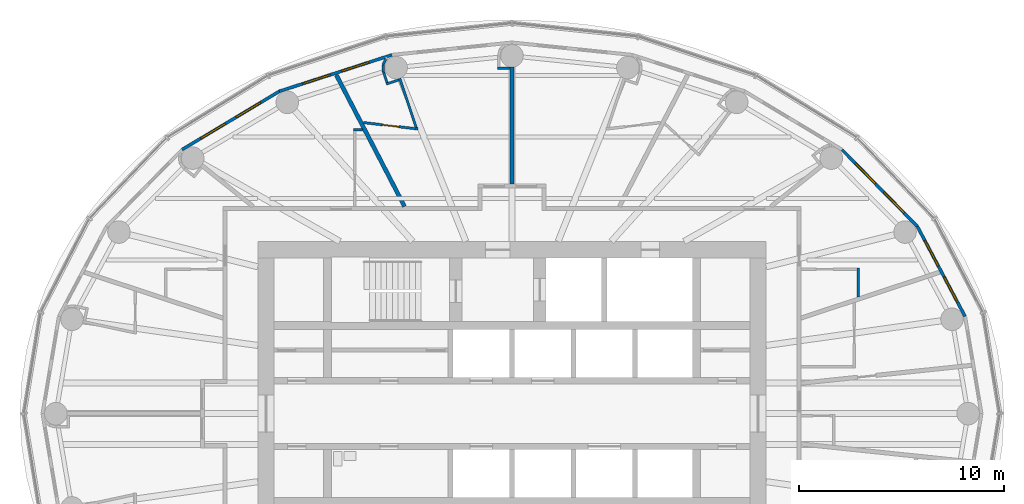
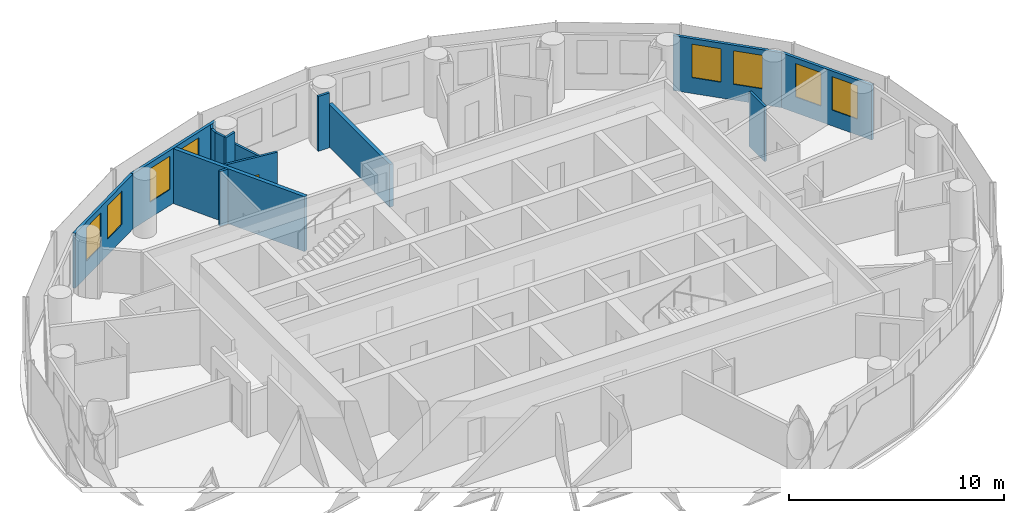
# One storey, part 12 of 16: 15 walls, 8 windows, 1 door, 9 openings.
"""IFC4 building model written with IfcOpenShell, lengths in metres."""

import ifcopenshell
import ifcopenshell.guid

model = None  # the IFC model being written
_history = None  # IfcOwnerHistory: only IFC2X3 demands one
_inside = {}  # id of a spatial element -> (the spatial element, [elements in it])
_under = {}  # id of a project, library or spatial element -> (it, [spatial elements below it])
_declared = {}  # id of a project -> (the project, [libraries it declares])
_typed = {}  # id of a type object -> (the type object, [elements of that type])
_made_of = {}  # id of a material, layer set ... -> (it, [elements and type objects made of it])


def new_model(schema):
    """Start an empty IFC model of exactly this schema.

    Asked for "IFC4X3", IfcOpenShell would pick the latest addendum, in which some entities
    have other attributes; the version numbers below select the first issue.
    IFC2X3 requires an IfcOwnerHistory on every rooted entity: one is made here for all.
    """
    global model, _history
    if schema == "IFC4X3":
        model = ifcopenshell.file(schema_version=(4, 3, 0, 0))
    else:
        model = ifcopenshell.file(schema=schema)
    _inside.clear()
    _under.clear()
    _declared.clear()
    _typed.clear()
    _made_of.clear()
    _history = None
    if model.schema == "IFC2X3":
        org = make("IfcOrganization", Name="unknown")
        user = make(
            "IfcPersonAndOrganization",
            ThePerson=make("IfcPerson", FamilyName="unknown"),
            TheOrganization=org,
        )
        app = make(
            "IfcApplication",
            ApplicationDeveloper=org,
            Version="unknown",
            ApplicationFullName="unknown",
            ApplicationIdentifier="unknown",
        )
        _history = make(
            "IfcOwnerHistory",
            OwningUser=user,
            OwningApplication=app,
            ChangeAction="ADDED",
            CreationDate=0,
        )
    return model


def make(cls, **values):
    """One entity of the class cls with the attributes given. An attribute that is None is left unset."""
    return model.create_entity(
        cls, **{name: value for name, value in values.items() if value is not None}
    )


def rooted(cls, **values):
    """An entity with a GlobalId (a new one), such as an element, a storey or a relation."""
    return make(cls, GlobalId=ifcopenshell.guid.new(), OwnerHistory=_history, **values)


def si_unit(unit_type, name, prefix=None):
    """IfcSIUnit, for example si_unit("LENGTHUNIT", "METRE", prefix="MILLI")."""
    return make("IfcSIUnit", UnitType=unit_type, Prefix=prefix, Name=name)


def assignment(units):
    """IfcUnitAssignment: the units of a project."""
    return None if units is None else make("IfcUnitAssignment", Units=units)


def point(xyz):
    """IfcCartesianPoint."""
    return None if xyz is None else make("IfcCartesianPoint", Coordinates=xyz)


def direction(xyz):
    """IfcDirection."""
    return None if xyz is None else make("IfcDirection", DirectionRatios=xyz)


def frame(location, z_axis=None, x_axis=None):
    """IfcAxis2Placement3D, a coordinate frame: its origin and axes. An axis left out is left unset."""
    return make(
        "IfcAxis2Placement3D",
        Location=point(location),
        Axis=direction(z_axis),
        RefDirection=direction(x_axis),
    )


def frame_2d(location, x_axis=None):
    """IfcAxis2Placement2D, a coordinate frame in the plane: its origin and x axis."""
    return make(
        "IfcAxis2Placement2D", Location=point(location), RefDirection=direction(x_axis)
    )


def origin():
    """The frame at (0, 0, 0) with its axes left unset."""
    return frame((0.0, 0.0, 0.0))


def place(relative_to, where):
    """IfcLocalPlacement: puts the frame where relative to a parent placement (None: the world)."""
    return make(
        "IfcLocalPlacement", PlacementRelTo=relative_to, RelativePlacement=where
    )


def context(
    kind, dimensions, precision=None, world=None, true_north=None, identifier=None
):
    """IfcGeometricRepresentationContext, for example the 3D "Model" context."""
    return make(
        "IfcGeometricRepresentationContext",
        ContextIdentifier=identifier,
        ContextType=kind,
        CoordinateSpaceDimension=dimensions,
        Precision=precision,
        WorldCoordinateSystem=world,
        TrueNorth=true_north,
    )


def subcontext(parent, identifier, kind, view, scale=None):
    """IfcGeometricRepresentationSubContext, for example "Body" below "Model"."""
    return make(
        "IfcGeometricRepresentationSubContext",
        ContextIdentifier=identifier,
        ContextType=kind,
        ParentContext=parent,
        TargetScale=scale,
        TargetView=view,
    )


def project(units=None, contexts=None):
    """IfcProject with its units and contexts."""
    return rooted(
        "IfcProject",
        Name="project",
        RepresentationContexts=contexts,
        UnitsInContext=assignment(units),
    )


def spatial(cls, under=None, at=None, **own):
    """A site, building, storey or space (cls), placed at a placement, below another one or the project."""
    s = rooted(cls, ObjectPlacement=at, **own)
    if under is not None:
        _under.setdefault(under.id(), (under, []))[1].append(s)
    return s


def profile(cls, at=None, kind="AREA", **sizes):
    """A parametric profile (cls). Its sizes go by their IFC names, for example OverallWidth=200.0."""
    return make(cls, ProfileType=kind, Position=at, **sizes)


def rectangle(**sizes):
    """IfcRectangleProfileDef."""
    return profile("IfcRectangleProfileDef", **sizes)


def extrude(swept, where, along, depth):
    """IfcExtrudedAreaSolid: the profile swept, set in the frame where, extruded along a direction by depth."""
    return make(
        "IfcExtrudedAreaSolid",
        SweptArea=swept,
        Position=where,
        ExtrudedDirection=direction(along),
        Depth=depth,
    )


def shape(context_of_items, identifier, shape_type, items):
    """IfcShapeRepresentation: the items that make up one representation, for example the "Body"."""
    return make(
        "IfcShapeRepresentation",
        ContextOfItems=context_of_items,
        RepresentationIdentifier=identifier,
        RepresentationType=shape_type,
        Items=items,
    )


def material(Name=None, Category=None):
    """IfcMaterial."""
    return make("IfcMaterial", Name=Name, Category=Category)


def layer(
    of_material, thickness, ventilated=None, Name=None, Category=None, Priority=None
):
    """IfcMaterialLayer: one layer of a wall or slab, of a material (None: an air gap)."""
    return make(
        "IfcMaterialLayer",
        Material=of_material,
        LayerThickness=thickness,
        IsVentilated=ventilated,
        Name=Name,
        Category=Category,
        Priority=Priority,
    )


def layer_set(layers, Name=None):
    """IfcMaterialLayerSet."""
    return make("IfcMaterialLayerSet", MaterialLayers=layers, LayerSetName=Name)


def made_of(thing, what):
    """Note that an element or type object is made of a material, layer set ...; save() writes the relation."""
    if what is not None:
        _made_of.setdefault(what.id(), (what, []))[1].append(thing)
    return thing


def type_object(cls, material=None, **own):
    """A type object (cls), such as IfcWallType, which elements share."""
    return made_of(rooted(cls, **own), material)


def element(
    cls,
    number,
    at=None,
    inside=None,
    cuts=None,
    type_object=None,
    material=None,
    context=None,
    identifier="Body",
    shape_type=None,
    held_by="IfcProductDefinitionShape",
    body=None,
    shapes=None,
    **own,
):
    """One element of the class cls, such as IfcWall. Its Tag is "e" and its number.

    at: its placement. inside: the storey or other place that contains it. cuts: it is an
    opening in that element (IfcRelVoidsElement). A single representation is given by context,
    identifier, shape_type and body (its items); several are given by shapes. held_by: the class
    of the entity that holds the representations. save() writes the other relations.
    """
    e = rooted(cls, Tag="e%d" % number, ObjectPlacement=at, **own)
    if body is not None:
        shapes = [shape(context, identifier, shape_type, body)]
    if shapes is not None:
        e.Representation = make(held_by, Representations=shapes)
    if inside is not None:
        _inside.setdefault(inside.id(), (inside, []))[1].append(e)
    if cuts is not None:
        rooted(
            "IfcRelVoidsElement", RelatingBuildingElement=cuts, RelatedOpeningElement=e
        )
    if type_object is not None:
        _typed.setdefault(type_object.id(), (type_object, []))[1].append(e)
    return made_of(e, material)


def fill(opening, filler):
    """IfcRelFillsElement: the door or window that sits in an opening."""
    return rooted(
        "IfcRelFillsElement",
        RelatingOpeningElement=opening,
        RelatedBuildingElement=filler,
    )


def aggregate(whole, parts):
    """IfcRelAggregates: a whole, such as a stair, and the parts it consists of."""
    return rooted("IfcRelAggregates", RelatingObject=whole, RelatedObjects=parts)


def save(model, path):
    """Write the relations noted so far, then the file.

    IfcRelAggregates (storeys below a building ...), IfcRelContainedInSpatialStructure (elements
    in a storey), IfcRelDefinesByType, IfcRelAssociatesMaterial and IfcRelDeclares: one each for
    every whole, place, type object, material and project.
    """
    for whole, parts in _under.values():
        aggregate(whole, parts)
    for where, things in _inside.values():
        rooted(
            "IfcRelContainedInSpatialStructure",
            RelatedElements=things,
            RelatingStructure=where,
        )
    for kind, things in _typed.values():
        rooted("IfcRelDefinesByType", RelatedObjects=things, RelatingType=kind)
    for what, things in _made_of.values():
        rooted("IfcRelAssociatesMaterial", RelatedObjects=things, RelatingMaterial=what)
    for by, libraries in _declared.values():
        rooted("IfcRelDeclares", RelatingContext=by, RelatedDefinitions=libraries)
    model.write(path)


model = new_model("IFC4")

# Units and contexts
model_context = context("Model", 3, precision=1e-05, world=origin(), true_north=direction((0.0, 1.0)))
body_context = subcontext(model_context, "Body", "Model", "MODEL_VIEW")
ifc_project = project(units=[si_unit("LENGTHUNIT", "METRE"), si_unit("AREAUNIT", "SQUARE_METRE"), si_unit("VOLUMEUNIT", "CUBIC_METRE"), si_unit("PLANEANGLEUNIT", "RADIAN"), si_unit("MASSUNIT", "GRAM", prefix="KILO")], contexts=[model_context])

# Site, building, storey
site_placement = place(None, origin())
site = spatial("IfcSite", under=ifc_project, at=site_placement, CompositionType="ELEMENT")
building_placement = place(site_placement, origin())
building = spatial("IfcBuilding", under=site, at=building_placement, Name="Hankou Lantern Tower", CompositionType="ELEMENT")
storey_placement = place(building_placement, frame((0.0, 0.0, 169.800048828125)))
storey = spatial("IfcBuildingStorey", under=building, at=storey_placement, Name="L45", CompositionType="ELEMENT", Elevation=169.800048828125)

# Wall, openings, windows
ifc_material_1 = material(Name="Aluminium spandrel panel on steel studs", Category="steel")
ifc_layer_1 = layer(ifc_material_1, 0.14990234375)
ifc_layer_set_1 = layer_set([ifc_layer_1], Name="Aluminium spandrel panel on steel studs")
wall_type_1 = type_object("IfcWallType", Name="EW1 INNER SKIN WALL 150", PredefinedType="ELEMENTEDWALL", material=ifc_layer_set_1)
wall_1_placement = place(storey_placement, frame((22.1015625, 4.73779296875, 0.0), z_axis=(0.0, 0.0, 1.0), x_axis=(-0.468428906714, 0.883501193748, 0.0)))
wall_1 = element("IfcWall", 1, at=wall_1_placement, inside=storey, type_object=wall_type_1, Name="Inner skin R02-R03 L45", PredefinedType="ELEMENTEDWALL", context=body_context, shape_type="SweptSolid", body=[
    extrude(rectangle(XDim=4.9736328125, YDim=0.14990234375, at=frame_2d((2.48681640625, 0.0))), origin(), (0.0, 0.0, 1.0), 3.119873046875),
])
opening_1_placement = place(wall_1_placement, frame((0.786865234375, 0.0, 0.89990234375)))
opening_1 = element("IfcOpeningElement", 2, at=opening_1_placement, cuts=wall_1, Name="Opening W3", PredefinedType="OPENING", context=body_context, shape_type="SweptSolid", body=[
    extrude(rectangle(XDim=1.39990234375, YDim=1.89990234375, at=frame_2d((0.699951171875, 0.949951171875))), frame((0.0, 0.0849609375, 0.0), z_axis=(0.0, -1.0, 0.0), x_axis=(1.0, 0.0, 0.0)), (0.0, 0.0, 1.0), 0.169921875),
])
opening_2_placement = place(wall_1_placement, frame((2.786865234375, 0.0, 0.89990234375)))
opening_2 = element("IfcOpeningElement", 3, at=opening_2_placement, cuts=wall_1, Name="Opening W3", PredefinedType="OPENING", context=body_context, shape_type="SweptSolid", body=[
    extrude(rectangle(XDim=1.39990234375, YDim=1.89990234375, at=frame_2d((0.699951171875, 0.949951171875))), frame((0.0, 0.0849609375, 0.0), z_axis=(0.0, -1.0, 0.0), x_axis=(1.0, 0.0, 0.0)), (0.0, 0.0, 1.0), 0.169921875),
])
ifc_material_2 = material(Name="Aluminium framed double glazed window", Category="aluminium")
window_type = type_object("IfcWindowType", Name="W3 GUEST ROOM WINDOW 1400X1900", PartitioningType="DOUBLE_PANEL_VERTICAL", PredefinedType="WINDOW", material=ifc_material_2)
window_1_placement = place(opening_1_placement, origin())
window_1 = element("IfcWindow", 4, at=window_1_placement, inside=storey, type_object=window_type, Name="Window R02.1 L45", OverallHeight=1.89990234375, OverallWidth=1.39990234375, PartitioningType="SINGLE_PANEL", PredefinedType="WINDOW", context=body_context, shape_type="SweptSolid", body=[
    extrude(rectangle(XDim=1.39990234375, YDim=1.89990234375, at=frame_2d((0.699951171875, 0.949951171875))), frame((0.0, 0.030029296875, 0.0), z_axis=(0.0, -1.0, 0.0), x_axis=(1.0, 0.0, 0.0)), (0.0, 0.0, 1.0), 0.06005859375),
])
fill(opening_1, window_1)
window_2_placement = place(opening_2_placement, origin())
window_2 = element("IfcWindow", 5, at=window_2_placement, inside=storey, type_object=window_type, Name="Window R02.2 L45", OverallHeight=1.89990234375, OverallWidth=1.39990234375, PartitioningType="SINGLE_PANEL", PredefinedType="WINDOW", context=body_context, shape_type="SweptSolid", body=[
    extrude(rectangle(XDim=1.39990234375, YDim=1.89990234375, at=frame_2d((0.699951171875, 0.949951171875))), frame((0.0, 0.030029296875, 0.0), z_axis=(0.0, -1.0, 0.0), x_axis=(1.0, 0.0, 0.0)), (0.0, 0.0, 1.0), 0.06005859375),
])
fill(opening_2, window_2)

wall_2_placement = place(storey_placement, frame((19.771728515625, 9.132080078125, 0.0), z_axis=(0.0, 0.0, 1.0), x_axis=(-0.700727467776, 0.71342905457, 0.0)))
wall_2 = element("IfcWall", 6, at=wall_2_placement, inside=storey, type_object=wall_type_1, Name="Inner skin R03-R04 L45", PredefinedType="ELEMENTEDWALL", context=body_context, shape_type="SweptSolid", body=[
    extrude(rectangle(XDim=5.247314453125, YDim=0.14990234375, at=frame_2d((2.62353515625, 0.0))), origin(), (0.0, 0.0, 1.0), 3.119873046875),
])
opening_3_placement = place(wall_2_placement, frame((0.923583984375, 0.0, 0.89990234375)))
opening_3 = element("IfcOpeningElement", 7, at=opening_3_placement, cuts=wall_2, Name="Opening W3", PredefinedType="OPENING", context=body_context, shape_type="SweptSolid", body=[
    extrude(rectangle(XDim=1.39990234375, YDim=1.89990234375, at=frame_2d((0.699951171875, 0.949951171875))), frame((0.0, 0.0849609375, 0.0), z_axis=(0.0, -1.0, 0.0), x_axis=(1.0, 0.0, 0.0)), (0.0, 0.0, 1.0), 0.169921875),
])
opening_4_placement = place(wall_2_placement, frame((2.923583984375, 0.0, 0.89990234375)))
opening_4 = element("IfcOpeningElement", 8, at=opening_4_placement, cuts=wall_2, Name="Opening W3", PredefinedType="OPENING", context=body_context, shape_type="SweptSolid", body=[
    extrude(rectangle(XDim=1.39990234375, YDim=1.89990234375, at=frame_2d((0.699951171875, 0.949951171875))), frame((0.0, 0.0849609375, 0.0), z_axis=(0.0, -1.0, 0.0), x_axis=(1.0, 0.0, 0.0)), (0.0, 0.0, 1.0), 0.169921875),
])
window_3_placement = place(opening_3_placement, origin())
window_3 = element("IfcWindow", 9, at=window_3_placement, inside=storey, type_object=window_type, Name="Window R03.1 L45", OverallHeight=1.89990234375, OverallWidth=1.39990234375, PartitioningType="SINGLE_PANEL", PredefinedType="WINDOW", context=body_context, shape_type="SweptSolid", body=[
    extrude(rectangle(XDim=1.39990234375, YDim=1.89990234375, at=frame_2d((0.699951171875, 0.949951171875))), frame((0.0, 0.030029296875, 0.0), z_axis=(0.0, -1.0, 0.0), x_axis=(1.0, 0.0, 0.0)), (0.0, 0.0, 1.0), 0.06005859375),
])
fill(opening_3, window_3)
window_4_placement = place(opening_4_placement, origin())
window_4 = element("IfcWindow", 10, at=window_4_placement, inside=storey, type_object=window_type, Name="Window R03.2 L45", OverallHeight=1.89990234375, OverallWidth=1.39990234375, PartitioningType="SINGLE_PANEL", PredefinedType="WINDOW", context=body_context, shape_type="SweptSolid", body=[
    extrude(rectangle(XDim=1.39990234375, YDim=1.89990234375, at=frame_2d((0.699951171875, 0.949951171875))), frame((0.0, 0.030029296875, 0.0), z_axis=(0.0, -1.0, 0.0), x_axis=(1.0, 0.0, 0.0)), (0.0, 0.0, 1.0), 0.06005859375),
])
fill(opening_4, window_4)

wall_3_placement = place(storey_placement, frame((-5.8603515625, 17.497314453125, 0.0), z_axis=(0.0, 0.0, 1.0), x_axis=(-0.951432482129, -0.307857486429, 0.0)))
wall_3 = element("IfcWall", 11, at=wall_3_placement, inside=storey, type_object=wall_type_1, Name="Inner skin R08-R09 L45", PredefinedType="ELEMENTEDWALL", context=body_context, shape_type="SweptSolid", body=[
    extrude(rectangle(XDim=5.76611328125, YDim=0.14990234375, at=frame_2d((2.883056640625, 0.0))), origin(), (0.0, 0.0, 1.0), 3.119873046875),
])
opening_5_placement = place(wall_3_placement, frame((1.18310546875, 0.0, 0.89990234375)))
opening_5 = element("IfcOpeningElement", 12, at=opening_5_placement, cuts=wall_3, Name="Opening W3", PredefinedType="OPENING", context=body_context, shape_type="SweptSolid", body=[
    extrude(rectangle(XDim=1.39990234375, YDim=1.89990234375, at=frame_2d((0.699951171875, 0.949951171875))), frame((0.0, 0.0849609375, 0.0), z_axis=(0.0, -1.0, 0.0), x_axis=(1.0, 0.0, 0.0)), (0.0, 0.0, 1.0), 0.169921875),
])
opening_6_placement = place(wall_3_placement, frame((3.18310546875, 0.0, 0.89990234375)))
opening_6 = element("IfcOpeningElement", 13, at=opening_6_placement, cuts=wall_3, Name="Opening W3", PredefinedType="OPENING", context=body_context, shape_type="SweptSolid", body=[
    extrude(rectangle(XDim=1.39990234375, YDim=1.89990234375, at=frame_2d((0.699951171875, 0.949951171875))), frame((0.0, 0.0849609375, 0.0), z_axis=(0.0, -1.0, 0.0), x_axis=(1.0, 0.0, 0.0)), (0.0, 0.0, 1.0), 0.169921875),
])
window_5_placement = place(opening_5_placement, origin())
window_5 = element("IfcWindow", 14, at=window_5_placement, inside=storey, type_object=window_type, Name="Window R08.1 L45", OverallHeight=1.89990234375, OverallWidth=1.39990234375, PartitioningType="SINGLE_PANEL", PredefinedType="WINDOW", context=body_context, shape_type="SweptSolid", body=[
    extrude(rectangle(XDim=1.39990234375, YDim=1.89990234375, at=frame_2d((0.699951171875, 0.949951171875))), frame((0.0, 0.030029296875, 0.0), z_axis=(0.0, -1.0, 0.0), x_axis=(1.0, 0.0, 0.0)), (0.0, 0.0, 1.0), 0.06005859375),
])
fill(opening_5, window_5)
window_6_placement = place(opening_6_placement, origin())
window_6 = element("IfcWindow", 15, at=window_6_placement, inside=storey, type_object=window_type, Name="Window R08.2 L45", OverallHeight=1.89990234375, OverallWidth=1.39990234375, PartitioningType="SINGLE_PANEL", PredefinedType="WINDOW", context=body_context, shape_type="SweptSolid", body=[
    extrude(rectangle(XDim=1.39990234375, YDim=1.89990234375, at=frame_2d((0.699951171875, 0.949951171875))), frame((0.0, 0.030029296875, 0.0), z_axis=(0.0, -1.0, 0.0), x_axis=(1.0, 0.0, 0.0)), (0.0, 0.0, 1.0), 0.06005859375),
])
fill(opening_6, window_6)

wall_4_placement = place(storey_placement, frame((-11.346435546875, 15.72216796875, 0.0), z_axis=(0.0, 0.0, 1.0), x_axis=(-0.857695199231, -0.514158482587, 0.0)))
wall_4 = element("IfcWall", 16, at=wall_4_placement, inside=storey, type_object=wall_type_1, Name="Inner skin R09-R10 L45", PredefinedType="ELEMENTEDWALL", context=body_context, shape_type="SweptSolid", body=[
    extrude(rectangle(XDim=5.5361328125, YDim=0.14990234375, at=frame_2d((2.76806640625, 0.0))), origin(), (0.0, 0.0, 1.0), 3.119873046875),
])
opening_7_placement = place(wall_4_placement, frame((1.068115234375, 0.0, 0.89990234375)))
opening_7 = element("IfcOpeningElement", 17, at=opening_7_placement, cuts=wall_4, Name="Opening W3", PredefinedType="OPENING", context=body_context, shape_type="SweptSolid", body=[
    extrude(rectangle(XDim=1.39990234375, YDim=1.89990234375, at=frame_2d((0.699951171875, 0.949951171875))), frame((0.0, 0.0849609375, 0.0), z_axis=(0.0, -1.0, 0.0), x_axis=(1.0, 0.0, 0.0)), (0.0, 0.0, 1.0), 0.169921875),
])
opening_8_placement = place(wall_4_placement, frame((3.068115234375, 0.0, 0.89990234375)))
opening_8 = element("IfcOpeningElement", 18, at=opening_8_placement, cuts=wall_4, Name="Opening W3", PredefinedType="OPENING", context=body_context, shape_type="SweptSolid", body=[
    extrude(rectangle(XDim=1.39990234375, YDim=1.89990234375, at=frame_2d((0.699951171875, 0.949951171875))), frame((0.0, 0.0849609375, 0.0), z_axis=(0.0, -1.0, 0.0), x_axis=(1.0, 0.0, 0.0)), (0.0, 0.0, 1.0), 0.169921875),
])
window_7_placement = place(opening_7_placement, origin())
window_7 = element("IfcWindow", 19, at=window_7_placement, inside=storey, type_object=window_type, Name="Window R09.1 L45", OverallHeight=1.89990234375, OverallWidth=1.39990234375, PartitioningType="SINGLE_PANEL", PredefinedType="WINDOW", context=body_context, shape_type="SweptSolid", body=[
    extrude(rectangle(XDim=1.39990234375, YDim=1.89990234375, at=frame_2d((0.699951171875, 0.949951171875))), frame((0.0, 0.030029296875, 0.0), z_axis=(0.0, -1.0, 0.0), x_axis=(1.0, 0.0, 0.0)), (0.0, 0.0, 1.0), 0.06005859375),
])
fill(opening_7, window_7)
window_8_placement = place(opening_8_placement, origin())
window_8 = element("IfcWindow", 20, at=window_8_placement, inside=storey, type_object=window_type, Name="Window R09.2 L45", OverallHeight=1.89990234375, OverallWidth=1.39990234375, PartitioningType="SINGLE_PANEL", PredefinedType="WINDOW", context=body_context, shape_type="SweptSolid", body=[
    extrude(rectangle(XDim=1.39990234375, YDim=1.89990234375, at=frame_2d((0.699951171875, 0.949951171875))), frame((0.0, 0.030029296875, 0.0), z_axis=(0.0, -1.0, 0.0), x_axis=(1.0, 0.0, 0.0)), (0.0, 0.0, 1.0), 0.06005859375),
])
fill(opening_8, window_8)

# Walls
ifc_material_3 = material(Name="Masonry lightweight concrete block", Category="masonry")
ifc_layer_2 = layer(ifc_material_3, 0.199951171875)
ifc_layer_set_2 = layer_set([ifc_layer_2], Name="Masonry lightweight concrete block")
wall_type_2 = type_object("IfcWallType", Name="IW1 GUEST ROOM PARTY WALL 200", PredefinedType="PARTITIONING", material=ifc_layer_set_2)
wall_5_placement = place(storey_placement, frame((0.0, 11.199951171875, 0.0), z_axis=(0.0, 0.0, 1.0), x_axis=(0.0, 1.0, 0.0)))
element("IfcWall", 21, at=wall_5_placement, inside=storey, type_object=wall_type_2, Name="Party wall R07", PredefinedType="PARTITIONING", context=body_context, shape_type="SweptSolid", body=[
    extrude(rectangle(XDim=5.699951171875, YDim=0.199951171875, at=frame_2d((2.85009765625, 0.0))), origin(), (0.0, 0.0, 1.0), 2.419921875),
])
wall_6_placement = place(storey_placement, frame((-5.239990234375, 10.10009765625, 0.0), z_axis=(0.0, 0.0, 1.0), x_axis=(-0.460532965373, 0.887642601391, 0.0)))
element("IfcWall", 22, at=wall_6_placement, inside=storey, type_object=wall_type_2, Name="Party wall R08-R09", PredefinedType="PARTITIONING", context=body_context, shape_type="SweptSolid", body=[
    extrude(rectangle(XDim=7.2314453125, YDim=0.199951171875, at=frame_2d((3.61572265625, 0.0))), origin(), (0.0, 0.0, 1.0), 3.119873046875),
])
ifc_material_4 = material(Name="Masonry lightweight concrete block", Category="masonry")
ifc_layer_3 = layer(ifc_material_4, 0.1201171875)
ifc_layer_set_3 = layer_set([ifc_layer_3], Name="Masonry lightweight concrete block")
wall_type_3 = type_object("IfcWallType", Name="IW3 BATHROOM WALL 120", PredefinedType="PARTITIONING", material=ifc_layer_set_3)
wall_7_placement = place(storey_placement, frame((16.89990234375, 5.687255859375, 0.0), z_axis=(0.0, 0.0, 1.0), x_axis=(0.0, 1.0, 0.0)))
element("IfcWall", 23, at=wall_7_placement, inside=storey, type_object=wall_type_3, Name="Box wall 4506 1", PredefinedType="PARTITIONING", context=body_context, shape_type="SweptSolid", body=[
    extrude(rectangle(XDim=1.414306640625, YDim=0.1201171875, at=frame_2d((0.70703125, 0.0))), origin(), (0.0, 0.0, 1.0), 3.119873046875),
])

# Wall, opening, door
wall_8_placement = place(storey_placement, frame((-7.2529296875, 14.197021484375, 0.0), z_axis=(0.0, 0.0, 1.0), x_axis=(0.993128188393, -0.117031625725, 0.0)))
wall_8 = element("IfcWall", 24, at=wall_8_placement, inside=storey, type_object=wall_type_3, Name="Box wall 4509 1", PredefinedType="PARTITIONING", context=body_context, shape_type="SweptSolid", body=[
    extrude(rectangle(XDim=2.678466796875, YDim=0.1201171875, at=frame_2d((1.33935546875, 0.0))), origin(), (0.0, 0.0, 1.0), 3.119873046875),
])
opening_9_placement = place(wall_8_placement, frame((0.939208984375, 0.0, 0.0)))
opening_9 = element("IfcOpeningElement", 25, at=opening_9_placement, cuts=wall_8, Name="Opening D3", PredefinedType="OPENING", context=body_context, shape_type="SweptSolid", body=[
    extrude(rectangle(XDim=0.800048828125, YDim=2.10009765625, at=frame_2d((0.39990234375, 1.050048828125))), frame((0.0, 0.070068359375, 0.0), z_axis=(0.0, -1.0, 0.0), x_axis=(1.0, 0.0, 0.0)), (0.0, 0.0, 1.0), 0.14013671875),
])
ifc_material_5 = material(Name="Timber door leaf", Category="wood")
door_type = type_object("IfcDoorType", Name="D3 BATHROOM DOOR 800X2100", OperationType="SINGLE_SWING_LEFT", PredefinedType="DOOR", material=ifc_material_5)
door_placement = place(opening_9_placement, origin())
door = element("IfcDoor", 26, at=door_placement, inside=storey, type_object=door_type, Name="En-suite bathroom 4509 door", OperationType="SINGLE_SWING_RIGHT", OverallHeight=2.10009765625, OverallWidth=0.800048828125, PredefinedType="DOOR", context=body_context, shape_type="SweptSolid", body=[
    extrude(rectangle(XDim=0.800048828125, YDim=2.10009765625, at=frame_2d((0.39990234375, 1.050048828125))), frame((0.0, 0.02490234375, 0.0), z_axis=(0.0, -1.0, 0.0), x_axis=(1.0, 0.0, 0.0)), (0.0, 0.0, 1.0), 0.050048828125),
])
fill(opening_9, door)

# Walls
wall_9_placement = place(storey_placement, frame((-4.67138671875, 13.947509765625, 0.0), z_axis=(0.0, 0.0, 1.0), x_axis=(-0.317669167093, 0.948201613729, 0.0)))
element("IfcWall", 27, at=wall_9_placement, inside=storey, type_object=wall_type_3, Name="Box wall 4509 2", PredefinedType="PARTITIONING", context=body_context, shape_type="SweptSolid", body=[
    extrude(rectangle(XDim=2.5400390625, YDim=0.1201171875, at=frame_2d((1.27001953125, 0.0))), origin(), (0.0, 0.0, 1.0), 2.419921875),
])
wall_10_placement = place(storey_placement, frame((-5.51611328125, 16.280029296875, 0.0), z_axis=(0.0, 0.0, 1.0), x_axis=(-0.948157944392, -0.317799484717, 0.0)))
element("IfcWall", 28, at=wall_10_placement, inside=storey, type_object=wall_type_3, Name="Column casing 4509 return", PredefinedType="PARTITIONING", context=body_context, shape_type="SweptSolid", body=[
    extrude(rectangle(XDim=0.652099609375, YDim=0.1201171875, at=frame_2d((0.326171875, 0.0))), origin(), (0.0, 0.0, 1.0), 3.119873046875),
])
wall_11_placement = place(storey_placement, frame((-6.0966796875, 16.148681640625, 0.0), z_axis=(0.0, 0.0, 1.0), x_axis=(-0.317292604854, 0.948327687514, 0.0)))
element("IfcWall", 29, at=wall_11_placement, inside=storey, type_object=wall_type_3, Name="Column casing 4509", PredefinedType="PARTITIONING", context=body_context, shape_type="SweptSolid", body=[
    extrude(rectangle(XDim=0.550048828125, YDim=0.1201171875, at=frame_2d((0.27490234375, 0.0))), origin(), (0.0, 0.0, 1.0), 3.119873046875),
])
for number, where, z_axis, x_axis, name in (
    (30, (-6.271240234375, 16.67041015625, 0.0), (0.0, 0.0, 1.0), (-0.061477694849, 0.998108457552, 0.0), "Column casing 4509"),
    (31, (-6.2919921875, 17.00732421875, 0.0), (0.0, 0.0, 1.0), (0.445477128334, 0.895293319606, 0.0), "Column casing 4509"),
):
    element("IfcWall", number, at=place(storey_placement, frame(where, z_axis=z_axis, x_axis=x_axis)), inside=storey, type_object=wall_type_3, Name=name, PredefinedType="PARTITIONING", context=body_context, shape_type="SweptSolid", body=[
        extrude(rectangle(XDim=0.337646484375, YDim=0.1201171875, at=frame_2d((0.1689453125, 0.0))), origin(), (0.0, 0.0, 1.0), 3.119873046875),
    ])
wall_12_placement = place(storey_placement, frame((-7.28564453125, 13.85009765625, 0.0), z_axis=(0.0, 0.0, 1.0), x_axis=(-1.0, 0.0, 0.0)))
element("IfcWall", 32, at=wall_12_placement, inside=storey, type_object=wall_type_3, Name="Box wall 4510 1", PredefinedType="PARTITIONING", context=body_context, shape_type="SweptSolid", body=[
    extrude(rectangle(XDim=0.4443359375, YDim=0.1201171875, at=frame_2d((0.22216796875, 0.0))), origin(), (0.0, 0.0, 1.0), 3.119873046875),
])
ifc_material_6 = material(Name="Masonry lightweight concrete block", Category="masonry")
ifc_layer_4 = layer(ifc_material_6, 0.1201171875)
ifc_layer_set_4 = layer_set([ifc_layer_4], Name="Masonry lightweight concrete block")
wall_type_4 = type_object("IfcWallType", Name="IW4 PARTITION 120", PredefinedType="PARTITIONING", material=ifc_layer_set_4)
wall_13_placement = place(storey_placement, frame((-0.10009765625, 16.840087890625, 0.0), z_axis=(0.0, 0.0, 1.0), x_axis=(-1.0, 0.0, 0.0)))
element("IfcWall", 33, at=wall_13_placement, inside=storey, type_object=wall_type_4, Name="Column casing R07 return", PredefinedType="PARTITIONING", context=body_context, shape_type="SweptSolid", body=[
    extrude(rectangle(XDim=0.612060546875, YDim=0.1201171875, at=frame_2d((0.30615234375, 0.0))), origin(), (0.0, 0.0, 1.0), 3.119873046875),
])

save(model, "model.ifc")
